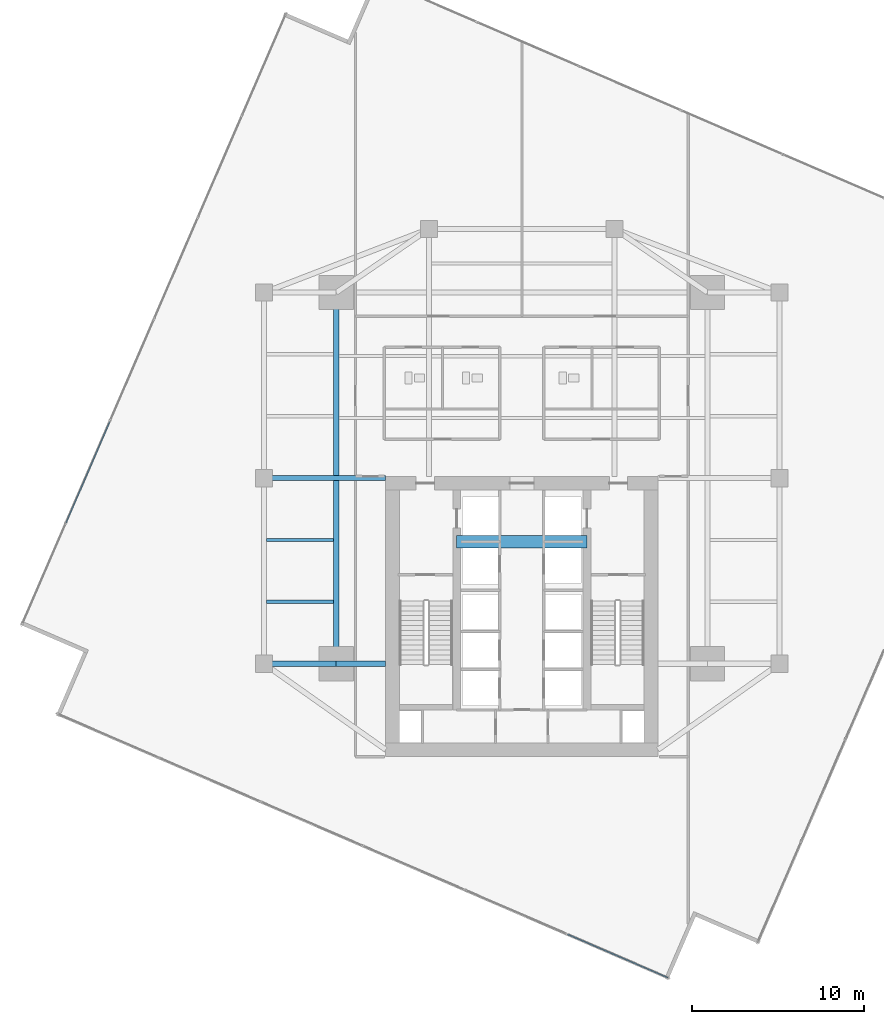
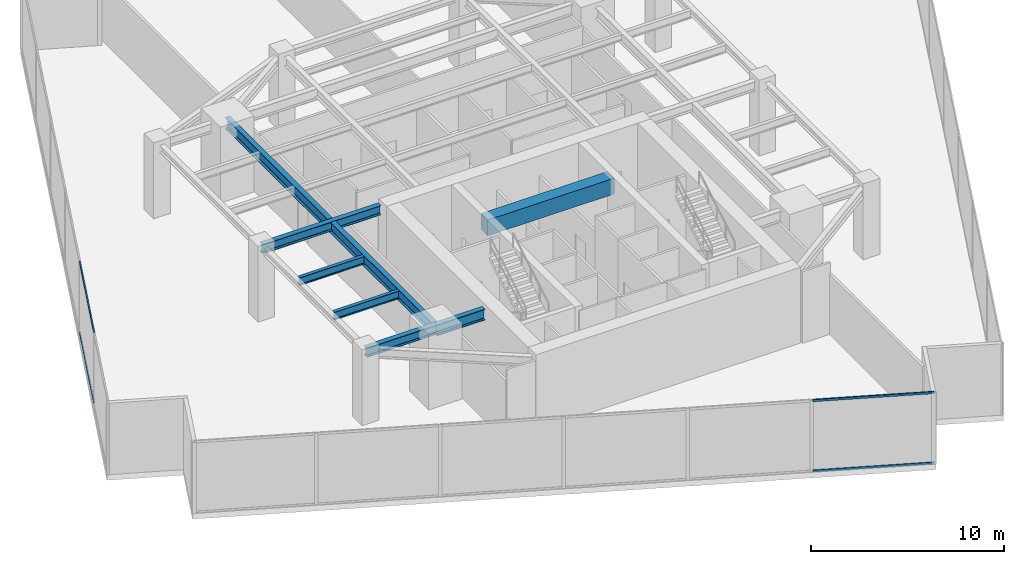
# One storey, part 7 of 24: 7 beams, 4 members, 2 elements without a shape of their own.
"""IFC4 building model written with IfcOpenShell, lengths in metres."""

import ifcopenshell
import ifcopenshell.guid

model = None  # the IFC model being written
_history = None  # IfcOwnerHistory: only IFC2X3 demands one
_inside = {}  # id of a spatial element -> (the spatial element, [elements in it])
_under = {}  # id of a project, library or spatial element -> (it, [spatial elements below it])
_declared = {}  # id of a project -> (the project, [libraries it declares])
_typed = {}  # id of a type object -> (the type object, [elements of that type])
_made_of = {}  # id of a material, layer set ... -> (it, [elements and type objects made of it])


def new_model(schema):
    """Start an empty IFC model of exactly this schema.

    Asked for "IFC4X3", IfcOpenShell would pick the latest addendum, in which some entities
    have other attributes; the version numbers below select the first issue.
    IFC2X3 requires an IfcOwnerHistory on every rooted entity: one is made here for all.
    """
    global model, _history
    if schema == "IFC4X3":
        model = ifcopenshell.file(schema_version=(4, 3, 0, 0))
    else:
        model = ifcopenshell.file(schema=schema)
    _inside.clear()
    _under.clear()
    _declared.clear()
    _typed.clear()
    _made_of.clear()
    _history = None
    if model.schema == "IFC2X3":
        org = make("IfcOrganization", Name="unknown")
        user = make(
            "IfcPersonAndOrganization",
            ThePerson=make("IfcPerson", FamilyName="unknown"),
            TheOrganization=org,
        )
        app = make(
            "IfcApplication",
            ApplicationDeveloper=org,
            Version="unknown",
            ApplicationFullName="unknown",
            ApplicationIdentifier="unknown",
        )
        _history = make(
            "IfcOwnerHistory",
            OwningUser=user,
            OwningApplication=app,
            ChangeAction="ADDED",
            CreationDate=0,
        )
    return model


def make(cls, **values):
    """One entity of the class cls with the attributes given. An attribute that is None is left unset."""
    return model.create_entity(
        cls, **{name: value for name, value in values.items() if value is not None}
    )


def rooted(cls, **values):
    """An entity with a GlobalId (a new one), such as an element, a storey or a relation."""
    return make(cls, GlobalId=ifcopenshell.guid.new(), OwnerHistory=_history, **values)


def si_unit(unit_type, name, prefix=None):
    """IfcSIUnit, for example si_unit("LENGTHUNIT", "METRE", prefix="MILLI")."""
    return make("IfcSIUnit", UnitType=unit_type, Prefix=prefix, Name=name)


def assignment(units):
    """IfcUnitAssignment: the units of a project."""
    return None if units is None else make("IfcUnitAssignment", Units=units)


def point(xyz):
    """IfcCartesianPoint."""
    return None if xyz is None else make("IfcCartesianPoint", Coordinates=xyz)


def direction(xyz):
    """IfcDirection."""
    return None if xyz is None else make("IfcDirection", DirectionRatios=xyz)


def frame(location, z_axis=None, x_axis=None):
    """IfcAxis2Placement3D, a coordinate frame: its origin and axes. An axis left out is left unset."""
    return make(
        "IfcAxis2Placement3D",
        Location=point(location),
        Axis=direction(z_axis),
        RefDirection=direction(x_axis),
    )


def frame_2d(location, x_axis=None):
    """IfcAxis2Placement2D, a coordinate frame in the plane: its origin and x axis."""
    return make(
        "IfcAxis2Placement2D", Location=point(location), RefDirection=direction(x_axis)
    )


def origin():
    """The frame at (0, 0, 0) with its axes left unset."""
    return frame((0.0, 0.0, 0.0))


def origin_2d():
    """The frame at (0, 0) in the plane with its x axis left unset."""
    return frame_2d((0.0, 0.0))


def place(relative_to, where):
    """IfcLocalPlacement: puts the frame where relative to a parent placement (None: the world)."""
    return make(
        "IfcLocalPlacement", PlacementRelTo=relative_to, RelativePlacement=where
    )


def context(
    kind, dimensions, precision=None, world=None, true_north=None, identifier=None
):
    """IfcGeometricRepresentationContext, for example the 3D "Model" context."""
    return make(
        "IfcGeometricRepresentationContext",
        ContextIdentifier=identifier,
        ContextType=kind,
        CoordinateSpaceDimension=dimensions,
        Precision=precision,
        WorldCoordinateSystem=world,
        TrueNorth=true_north,
    )


def subcontext(parent, identifier, kind, view, scale=None):
    """IfcGeometricRepresentationSubContext, for example "Body" below "Model"."""
    return make(
        "IfcGeometricRepresentationSubContext",
        ContextIdentifier=identifier,
        ContextType=kind,
        ParentContext=parent,
        TargetScale=scale,
        TargetView=view,
    )


def project(units=None, contexts=None):
    """IfcProject with its units and contexts."""
    return rooted(
        "IfcProject",
        Name="project",
        RepresentationContexts=contexts,
        UnitsInContext=assignment(units),
    )


def spatial(cls, under=None, at=None, **own):
    """A site, building, storey or space (cls), placed at a placement, below another one or the project."""
    s = rooted(cls, ObjectPlacement=at, **own)
    if under is not None:
        _under.setdefault(under.id(), (under, []))[1].append(s)
    return s


def profile(cls, at=None, kind="AREA", **sizes):
    """A parametric profile (cls). Its sizes go by their IFC names, for example OverallWidth=200.0."""
    return make(cls, ProfileType=kind, Position=at, **sizes)


def rectangle(**sizes):
    """IfcRectangleProfileDef."""
    return profile("IfcRectangleProfileDef", **sizes)


def hollow_rectangle(**sizes):
    """IfcRectangleHollowProfileDef."""
    return profile("IfcRectangleHollowProfileDef", **sizes)


def i_section(**sizes):
    """IfcIShapeProfileDef."""
    return profile("IfcIShapeProfileDef", **sizes)


def extrude(swept, where, along, depth):
    """IfcExtrudedAreaSolid: the profile swept, set in the frame where, extruded along a direction by depth."""
    return make(
        "IfcExtrudedAreaSolid",
        SweptArea=swept,
        Position=where,
        ExtrudedDirection=direction(along),
        Depth=depth,
    )


def shape(context_of_items, identifier, shape_type, items):
    """IfcShapeRepresentation: the items that make up one representation, for example the "Body"."""
    return make(
        "IfcShapeRepresentation",
        ContextOfItems=context_of_items,
        RepresentationIdentifier=identifier,
        RepresentationType=shape_type,
        Items=items,
    )


def source(mapping_origin, context_of_items, identifier, shape_type, items):
    """IfcRepresentationMap: a shape defined once, which mapped items show again and again."""
    return make(
        "IfcRepresentationMap",
        MappingOrigin=mapping_origin,
        MappedRepresentation=shape(context_of_items, identifier, shape_type, items),
    )


def transform(
    local_origin,
    x_axis=None,
    y_axis=None,
    z_axis=None,
    scale=None,
    scale2=None,
    scale3=None,
    uniform=True,
):
    """IfcCartesianTransformationOperator3D, or its non-uniform kind. x_axis, y_axis, z_axis: its Axis1, 2, 3."""
    if uniform:
        return make(
            "IfcCartesianTransformationOperator3D",
            Axis1=direction(x_axis),
            Axis2=direction(y_axis),
            LocalOrigin=point(local_origin),
            Scale=scale,
            Axis3=direction(z_axis),
        )
    return make(
        "IfcCartesianTransformationOperator3DnonUniform",
        Axis1=direction(x_axis),
        Axis2=direction(y_axis),
        LocalOrigin=point(local_origin),
        Scale=scale,
        Axis3=direction(z_axis),
        Scale2=scale2,
        Scale3=scale3,
    )


def mapped(mapping_source, mapping_target):
    """IfcMappedItem: shows the shape of a source again, moved by a transform."""
    return make(
        "IfcMappedItem", MappingSource=mapping_source, MappingTarget=mapping_target
    )


def material(Name=None, Category=None):
    """IfcMaterial."""
    return make("IfcMaterial", Name=Name, Category=Category)


def material_profile(
    of_material, cross_section, Name=None, Category=None, Priority=None
):
    """IfcMaterialProfile: a cross section and its material."""
    return make(
        "IfcMaterialProfile",
        Name=Name,
        Material=of_material,
        Profile=cross_section,
        Priority=Priority,
        Category=Category,
    )


def profile_set(profiles, Name=None, composite=None):
    """IfcMaterialProfileSet."""
    return make(
        "IfcMaterialProfileSet",
        Name=Name,
        MaterialProfiles=profiles,
        CompositeProfile=composite,
    )


def made_of(thing, what):
    """Note that an element or type object is made of a material, layer set ...; save() writes the relation."""
    if what is not None:
        _made_of.setdefault(what.id(), (what, []))[1].append(thing)
    return thing


def type_object(cls, material=None, **own):
    """A type object (cls), such as IfcWallType, which elements share."""
    return made_of(rooted(cls, **own), material)


def type_shapes(of_type, sources):
    """Give a type object the sources (RepresentationMaps) that its elements show as mapped items."""
    of_type.RepresentationMaps = sources


def element(
    cls,
    number,
    at=None,
    inside=None,
    cuts=None,
    type_object=None,
    material=None,
    context=None,
    identifier="Body",
    shape_type=None,
    held_by="IfcProductDefinitionShape",
    body=None,
    shapes=None,
    **own,
):
    """One element of the class cls, such as IfcWall. Its Tag is "e" and its number.

    at: its placement. inside: the storey or other place that contains it. cuts: it is an
    opening in that element (IfcRelVoidsElement). A single representation is given by context,
    identifier, shape_type and body (its items); several are given by shapes. held_by: the class
    of the entity that holds the representations. save() writes the other relations.
    """
    e = rooted(cls, Tag="e%d" % number, ObjectPlacement=at, **own)
    if body is not None:
        shapes = [shape(context, identifier, shape_type, body)]
    if shapes is not None:
        e.Representation = make(held_by, Representations=shapes)
    if inside is not None:
        _inside.setdefault(inside.id(), (inside, []))[1].append(e)
    if cuts is not None:
        rooted(
            "IfcRelVoidsElement", RelatingBuildingElement=cuts, RelatedOpeningElement=e
        )
    if type_object is not None:
        _typed.setdefault(type_object.id(), (type_object, []))[1].append(e)
    return made_of(e, material)


def aggregate(whole, parts):
    """IfcRelAggregates: a whole, such as a stair, and the parts it consists of."""
    return rooted("IfcRelAggregates", RelatingObject=whole, RelatedObjects=parts)


def save(model, path):
    """Write the relations noted so far, then the file.

    IfcRelAggregates (storeys below a building ...), IfcRelContainedInSpatialStructure (elements
    in a storey), IfcRelDefinesByType, IfcRelAssociatesMaterial and IfcRelDeclares: one each for
    every whole, place, type object, material and project.
    """
    for whole, parts in _under.values():
        aggregate(whole, parts)
    for where, things in _inside.values():
        rooted(
            "IfcRelContainedInSpatialStructure",
            RelatedElements=things,
            RelatingStructure=where,
        )
    for kind, things in _typed.values():
        rooted("IfcRelDefinesByType", RelatedObjects=things, RelatingType=kind)
    for what, things in _made_of.values():
        rooted("IfcRelAssociatesMaterial", RelatedObjects=things, RelatingMaterial=what)
    for by, libraries in _declared.values():
        rooted("IfcRelDeclares", RelatingContext=by, RelatedDefinitions=libraries)
    model.write(path)


model = new_model("IFC4")

# Units and contexts
model_context = context("Model", 3, precision=1e-05, world=origin(), true_north=direction((0.0, 1.0)))
body_context = subcontext(model_context, "Body", "Model", "MODEL_VIEW")
ifc_project = project(units=[si_unit("LENGTHUNIT", "METRE"), si_unit("AREAUNIT", "SQUARE_METRE"), si_unit("VOLUMEUNIT", "CUBIC_METRE"), si_unit("PLANEANGLEUNIT", "RADIAN"), si_unit("MASSUNIT", "GRAM", prefix="KILO")], contexts=[model_context])

# Site, building, storey
site_placement = place(None, origin())
site = spatial("IfcSite", under=ifc_project, at=site_placement, CompositionType="ELEMENT")
building_placement = place(site_placement, origin())
building = spatial("IfcBuilding", under=site, at=building_placement, Name="Krantzveldt Concourse Tower", CompositionType="ELEMENT")
storey_placement = place(building_placement, frame((0.0, 0.0, 141.39990234375)))
storey = spatial("IfcBuildingStorey", under=building, at=storey_placement, Name="L34", CompositionType="ELEMENT", Elevation=141.39990234375)

# Beams
ifc_material_1 = material(Name="Steel S355J2", Category="steel")
ifc_material_profile_1 = material_profile(ifc_material_1, i_section(OverallWidth=0.300048828125, OverallDepth=0.699951171875, WebThickness=0.01708984375, FlangeThickness=0.031982421875, FilletRadius=0.027099609375, at=origin_2d()), Name="Steel S355J2", Category="steel")
ifc_profile_set_1 = profile_set([ifc_material_profile_1], Name="Steel S355J2 - HEB 700")
beam_type_1 = type_object("IfcBeamType", Name="BM-B-HEB700", PredefinedType="BEAM", material=ifc_profile_set_1)
shared_shape_1 = source(origin(), body_context, "Body", "SweptSolid", [
    extrude(i_section(OverallWidth=0.300048828125, OverallDepth=0.699951171875, WebThickness=0.01708984375, FlangeThickness=0.031982421875, FilletRadius=0.027099609375, at=origin_2d()), origin(), (0.0, 0.0, 1.0), 2.880126953125),
])
beam_1_placement = place(storey_placement, frame((25.199951171875, 15.89990234375, 4.170166015625), z_axis=(1.0, 0.0, 0.0), x_axis=(0.0, 1.0, 0.0)))
element("IfcBeam", 1, at=beam_1_placement, inside=storey, type_object=beam_type_1, Name="L34 Tower Girder BG-CW1", PredefinedType="BEAM", context=body_context, shape_type="MappedRepresentation", body=[
    mapped(shared_shape_1, transform((0.0, 0.0, 0.0), x_axis=(1.0, 0.0, 0.0), y_axis=(0.0, 1.0, 0.0), z_axis=(0.0, 0.0, 1.0), scale=1.0)),
])
shared_shape_2 = source(origin(), body_context, "Body", "SweptSolid", [
    extrude(i_section(OverallWidth=0.300048828125, OverallDepth=0.699951171875, WebThickness=0.01708984375, FlangeThickness=0.031982421875, FilletRadius=0.027099609375, at=origin_2d()), origin(), (0.0, 0.0, 1.0), 21.60009765625),
])
type_shapes(beam_type_1, [shared_shape_1, shared_shape_2])
beam_2_placement = place(storey_placement, frame((25.199951171875, 15.89990234375, 4.170166015625), z_axis=(0.0, 1.0, 0.0), x_axis=(-1.0, 0.0, 0.0)))
element("IfcBeam", 2, at=beam_2_placement, inside=storey, type_object=beam_type_1, Name="L34 Tower Girder BG-MW", PredefinedType="BEAM", context=body_context, shape_type="MappedRepresentation", body=[
    mapped(shared_shape_2, transform((0.0, 0.0, 0.0), x_axis=(1.0, 0.0, 0.0), y_axis=(0.0, 1.0, 0.0), z_axis=(0.0, 0.0, 1.0), scale=1.0)),
])
ifc_material_2 = material(Name="Steel S355JR", Category="steel")
ifc_material_profile_2 = material_profile(ifc_material_2, i_section(OverallWidth=0.300048828125, OverallDepth=0.590087890625, WebThickness=0.012939453125, FlangeThickness=0.02490234375, FilletRadius=0.027099609375, at=origin_2d()), Name="Steel S355JR", Category="steel")
ifc_profile_set_2 = profile_set([ifc_material_profile_2], Name="Steel S355JR - HEA 600")
beam_type_2 = type_object("IfcBeamType", Name="BM-B-HEA600", PredefinedType="BEAM", material=ifc_profile_set_2)
shared_shape_3 = source(origin(), body_context, "Body", "SweptSolid", [
    extrude(i_section(OverallWidth=0.300048828125, OverallDepth=0.590087890625, WebThickness=0.012939453125, FlangeThickness=0.02490234375, FilletRadius=0.027099609375, at=origin_2d()), origin(), (0.0, 0.0, 1.0), 7.080078125),
])
beam_3_placement = place(storey_placement, frame((21.0, 26.699951171875, 4.22509765625), z_axis=(1.0, 0.0, 0.0), x_axis=(0.0, 1.0, 0.0)))
element("IfcBeam", 3, at=beam_3_placement, inside=storey, type_object=beam_type_2, Name="L34 Tower Girder BG-CW2", PredefinedType="BEAM", context=body_context, shape_type="MappedRepresentation", body=[
    mapped(shared_shape_3, transform((0.0, 0.0, 0.0), x_axis=(1.0, 0.0, 0.0), y_axis=(0.0, 1.0, 0.0), z_axis=(0.0, 0.0, 1.0), scale=1.0)),
])
shared_shape_4 = source(origin(), body_context, "Body", "SweptSolid", [
    extrude(i_section(OverallWidth=0.300048828125, OverallDepth=0.590087890625, WebThickness=0.012939453125, FlangeThickness=0.02490234375, FilletRadius=0.027099609375, at=origin_2d()), origin(), (0.0, 0.0, 1.0), 4.199951171875),
])
type_shapes(beam_type_2, [shared_shape_3, shared_shape_4])
beam_4_placement = place(storey_placement, frame((21.0, 15.89990234375, 4.22509765625), z_axis=(1.0, 0.0, 0.0), x_axis=(0.0, 1.0, 0.0)))
element("IfcBeam", 4, at=beam_4_placement, inside=storey, type_object=beam_type_2, Name="L34 Tower Girder BR-RL1", PredefinedType="BEAM", context=body_context, shape_type="MappedRepresentation", body=[
    mapped(shared_shape_4, transform((0.0, 0.0, 0.0), x_axis=(1.0, 0.0, 0.0), y_axis=(0.0, 1.0, 0.0), z_axis=(0.0, 0.0, 1.0), scale=1.0)),
])
ifc_material_profile_3 = material_profile(ifc_material_2, i_section(OverallWidth=0.199951171875, OverallDepth=0.5, WebThickness=0.01025390625, FlangeThickness=0.01611328125, FilletRadius=0.02099609375, at=origin_2d()), Name="Steel S355JR", Category="steel")
ifc_profile_set_3 = profile_set([ifc_material_profile_3], Name="Steel S355JR - IPE 500")
beam_type_3 = type_object("IfcBeamType", Name="BM-J-IPE500", PredefinedType="JOIST", material=ifc_profile_set_3)
shared_shape_5 = source(origin(), body_context, "Body", "SweptSolid", [
    extrude(i_section(OverallWidth=0.199951171875, OverallDepth=0.5, WebThickness=0.01025390625, FlangeThickness=0.01611328125, FilletRadius=0.02099609375, at=origin_2d()), origin(), (0.0, 0.0, 1.0), 3.900146484375),
])
type_shapes(beam_type_3, [shared_shape_5])
for number, where, z_axis, x_axis, name in (
    (5, (21.14990234375, 19.5, 4.27001953125), (1.0, 0.0, 0.0), (0.0, 1.0, 0.0), "L34 Secondary Floor Joist JW-1"),
    (6, (21.14990234375, 23.10009765625, 4.27001953125), (1.0, 0.0, 0.0), (0.0, 1.0, 0.0), "L34 Secondary Floor Joist JW-2"),
):
    element("IfcBeam", number, at=place(storey_placement, frame(where, z_axis=z_axis, x_axis=x_axis)), inside=storey, type_object=beam_type_3, Name=name, PredefinedType="JOIST", context=body_context, shape_type="MappedRepresentation", body=[
        mapped(shared_shape_5, transform((0.0, 0.0, 0.0), x_axis=(1.0, 0.0, 0.0), y_axis=(0.0, 1.0, 0.0), z_axis=(0.0, 0.0, 1.0), scale=1.0)),
    ])
ifc_material_3 = material(Name="Concrete C50/60", Category="concrete")
ifc_material_profile_4 = material_profile(ifc_material_3, rectangle(XDim=0.699951171875, YDim=1.0, at=origin_2d()), Name="Concrete C50/60", Category="concrete")
ifc_profile_set_4 = profile_set([ifc_material_profile_4], Name="Concrete C50/60 - RC-CB 700x1000")
beam_type_4 = type_object("IfcBeamType", Name="BM-CB-1000", PredefinedType="LINTEL", material=ifc_profile_set_4)
shared_shape_6 = source(origin(), body_context, "Body", "SweptSolid", [
    extrude(rectangle(XDim=0.699951171875, YDim=1.0, at=origin_2d()), origin(), (0.0, 0.0, 1.0), 7.580078125),
])
type_shapes(beam_type_4, [shared_shape_6])
beam_5_placement = place(storey_placement, frame((32.2099609375, 23.0, 4.02001953125), z_axis=(1.0, 0.0, 0.0), x_axis=(0.0, 1.0, 0.0)))
element("IfcBeam", 7, at=beam_5_placement, inside=storey, type_object=beam_type_4, Name="CB-L34-01", PredefinedType="LINTEL", context=body_context, shape_type="MappedRepresentation", body=[
    mapped(shared_shape_6, transform((0.0, 0.0, 0.0), x_axis=(1.0, 0.0, 0.0), y_axis=(0.0, 1.0, 0.0), z_axis=(0.0, 0.0, 1.0), scale=1.0)),
])

# Curtain wall, members
ifc_material_4 = material(Name="Anodised aluminium 6063-T6", Category="aluminium")
curtain_wall_type = type_object("IfcCurtainWallType", Name="CW5", PredefinedType="USERDEFINED", material=ifc_material_4)
curtain_wall_1_placement = place(storey_placement, origin())
curtain_wall_1 = element("IfcCurtainWall", 8, at=curtain_wall_1_placement, inside=storey, type_object=curtain_wall_type, Name="CW-L34-F04", ObjectType="UNITISED CURTAIN WALL", PredefinedType="USERDEFINED")
ifc_material_profile_5 = material_profile(ifc_material_4, hollow_rectangle(XDim=0.070068359375, YDim=0.139892578125, WallThickness=0.0048828125, at=origin_2d()), Name="Anodised aluminium 6063-T6", Category="aluminium")
ifc_profile_set_5 = profile_set([ifc_material_profile_5], Name="Anodised aluminium 6063-T6 - ALU-TRAN 140x70x5")
member_type = type_object("IfcMemberType", Name="CW-TRN-150", PredefinedType="USERDEFINED", material=ifc_profile_set_5)
shared_shape_7 = source(origin(), body_context, "Body", "SweptSolid", [
    extrude(hollow_rectangle(XDim=0.070068359375, YDim=0.139892578125, WallThickness=0.0048828125, at=origin_2d()), origin(), (0.0, 0.0, 1.0), 6.361572265625),
])
member_1_placement = place(storey_placement, frame((38.65576171875, 0.157958984375, 0.03515625), z_axis=(0.91793183647, -0.396738129747, 0.0), x_axis=(0.396738129747, 0.91793183647, 0.0)))
member_1 = element("IfcMember", 9, at=member_1_placement, type_object=member_type, Name="CW-SKY transom 6.1", ObjectType="TRANSOM", PredefinedType="USERDEFINED", context=body_context, shape_type="MappedRepresentation", body=[
    mapped(shared_shape_7, transform((0.0, 0.0, 0.0), x_axis=(1.0, 0.0, 0.0), y_axis=(0.0, 1.0, 0.0), z_axis=(0.0, 0.0, 1.0), scale=1.0)),
])
member_2_placement = place(storey_placement, frame((38.65576171875, 0.157958984375, 4.485107421875), z_axis=(0.91793183647, -0.396738129747, 0.0), x_axis=(0.396738129747, 0.91793183647, 0.0)))
member_2 = element("IfcMember", 10, at=member_2_placement, type_object=member_type, Name="CW-SKY transom 6.2", ObjectType="TRANSOM", PredefinedType="USERDEFINED", context=body_context, shape_type="MappedRepresentation", body=[
    mapped(shared_shape_7, transform((0.0, 0.0, 0.0), x_axis=(1.0, 0.0, 0.0), y_axis=(0.0, 1.0, 0.0), z_axis=(0.0, 0.0, 1.0), scale=1.0)),
])
aggregate(curtain_wall_1, [member_1, member_2])

curtain_wall_2_placement = place(storey_placement, origin())
curtain_wall_2 = element("IfcCurtainWall", 11, at=curtain_wall_2_placement, inside=storey, type_object=curtain_wall_type, Name="CW-L34-F01", ObjectType="UNITISED CURTAIN WALL", PredefinedType="USERDEFINED")
shared_shape_8 = source(origin(), body_context, "Body", "SweptSolid", [
    extrude(hollow_rectangle(XDim=0.070068359375, YDim=0.139892578125, WallThickness=0.0048828125, at=origin_2d()), origin(), (0.0, 0.0, 1.0), 6.396728515625),
])
type_shapes(member_type, [shared_shape_7, shared_shape_8])
member_3_placement = place(storey_placement, frame((12.023681640625, 29.980224609375, 0.03515625), z_axis=(-0.396736471998, -0.917932552961, 0.0), x_axis=(0.917932552961, -0.396736471998, 0.0)))
member_3 = element("IfcMember", 12, at=member_3_placement, type_object=member_type, Name="CW-SKY transom 5.1", ObjectType="TRANSOM", PredefinedType="USERDEFINED", context=body_context, shape_type="MappedRepresentation", body=[
    mapped(shared_shape_8, transform((0.0, 0.0, 0.0), x_axis=(1.0, 0.0, 0.0), y_axis=(0.0, 1.0, 0.0), z_axis=(0.0, 0.0, 1.0), scale=1.0)),
])
member_4_placement = place(storey_placement, frame((12.023681640625, 29.980224609375, 4.485107421875), z_axis=(-0.396736471998, -0.917932552961, 0.0), x_axis=(0.917932552961, -0.396736471998, 0.0)))
member_4 = element("IfcMember", 13, at=member_4_placement, type_object=member_type, Name="CW-SKY transom 5.2", ObjectType="TRANSOM", PredefinedType="USERDEFINED", context=body_context, shape_type="MappedRepresentation", body=[
    mapped(shared_shape_8, transform((0.0, 0.0, 0.0), x_axis=(1.0, 0.0, 0.0), y_axis=(0.0, 1.0, 0.0), z_axis=(0.0, 0.0, 1.0), scale=1.0)),
])
aggregate(curtain_wall_2, [member_3, member_4])

save(model, "model.ifc")
